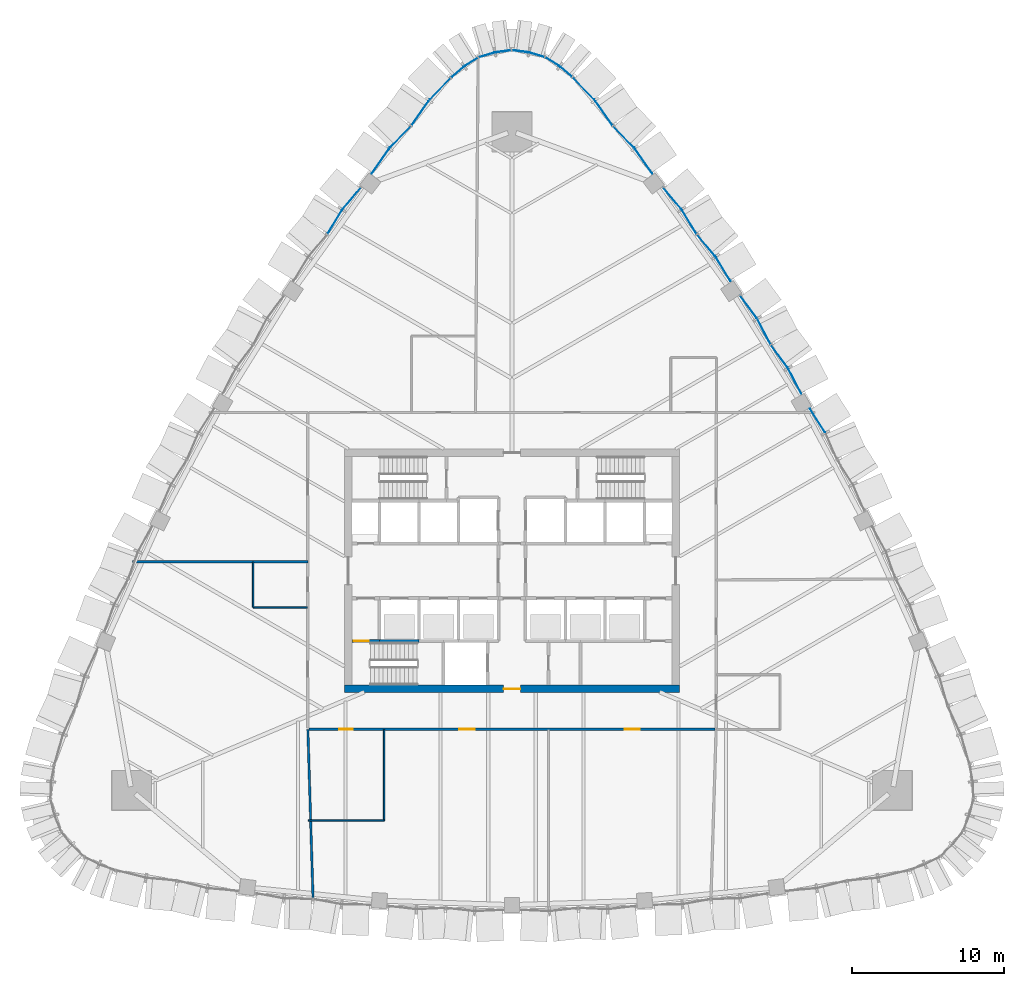
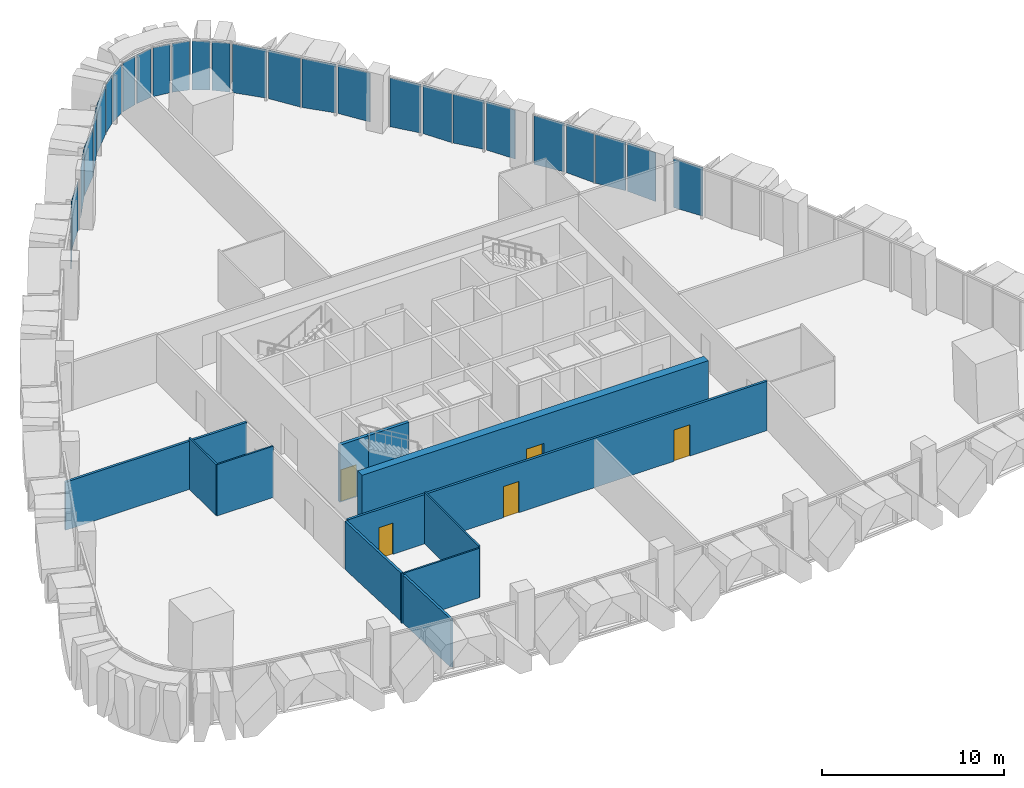
# One storey, part 11 of 18: 27 plates, 10 walls, 5 doors, 5 openings, 10 elements without a shape of their own.
"""IFC4 building model written with IfcOpenShell, lengths in metres."""

from ifc_helpers import new_model, si_unit, direction, frame, frame_2d, origin, place, context, subcontext, project, spatial, polyline, rectangle, outline, extrude, material, layer, layer_set, type_object, element, fill, aggregate, save


model = new_model("IFC4")

# Units and contexts
model_context = context("Model", 3, precision=1e-05, world=origin(), true_north=direction((0.0, 1.0)))
body_context = subcontext(model_context, "Body", "Model", "MODEL_VIEW")
ifc_project = project(units=[si_unit("LENGTHUNIT", "METRE"), si_unit("AREAUNIT", "SQUARE_METRE"), si_unit("VOLUMEUNIT", "CUBIC_METRE"), si_unit("PLANEANGLEUNIT", "RADIAN"), si_unit("MASSUNIT", "GRAM", prefix="KILO")], contexts=[model_context])

# Site, building, storey
site_placement = place(None, origin())
site = spatial("IfcSite", under=ifc_project, at=site_placement, CompositionType="ELEMENT")
building_placement = place(site_placement, origin())
building = spatial("IfcBuilding", under=site, at=building_placement, Name="Sierra Prisma Convention Tower", CompositionType="ELEMENT")
storey_placement = place(building_placement, frame((0.0, 0.0, 129.800048828125)))
storey = spatial("IfcBuildingStorey", under=building, at=storey_placement, Name="L27", CompositionType="ELEMENT", Elevation=129.800048828125)

# Curtain wall, plate
ifc_material_1 = material(Name="Aluminium and glass curtain wall", Category="aluminium")
ifc_layer_1 = layer(ifc_material_1, 0.179931640625)
ifc_layer_set_1 = layer_set([ifc_layer_1], Name="CW-2 Faceted crystal curtain wall")
curtain_wall_type = type_object("IfcCurtainWallType", Name="CW-2 Faceted crystal curtain wall", PredefinedType="NOTDEFINED", material=ifc_layer_set_1)
curtain_wall_1_placement = place(storey_placement, origin())
curtain_wall_1 = element("IfcCurtainWall", 1, at=curtain_wall_1_placement, inside=storey, type_object=curtain_wall_type, Name="CW-2 NE3 L27", PredefinedType="NOTDEFINED")
ifc_material_2 = material(Name="Tinted glass bronze-grey IGU", Category="glass")
ifc_layer_2 = layer(ifc_material_2, 0.028076171875)
ifc_layer_set_2 = layer_set([ifc_layer_2], Name="CW-2 crystal pane")
plate_type = type_object("IfcPlateType", Name="CW-2 crystal pane", PredefinedType="CURTAIN_PANEL", material=ifc_layer_set_2)
plate_1_placement = place(storey_placement, frame((19.572021484375, 10.64208984375, 0.0), z_axis=(0.842604965771, 0.538532145427, 0.0), x_axis=(0.538532145427, -0.842604965771, 0.0)))
plate_1 = element("IfcPlate", 2, at=plate_1_placement, type_object=plate_type, Name="CW-2 pane NE3.2.2", PredefinedType="CURTAIN_PANEL", context=body_context, shape_type="SweptSolid", body=[
    extrude(outline(polyline([(0.0, 0.0), (1.8201784567534784, 0.0), (1.8201784567534784, -3.280029296875001), (0.0, -3.280029296875001), (0.0, 0.0)])), origin(), (0.0, 0.0, -1.0), 0.028076171875),
])
aggregate(curtain_wall_1, [plate_1])

# Curtain wall, plates
curtain_wall_2_placement = place(storey_placement, origin())
curtain_wall_2 = element("IfcCurtainWall", 3, at=curtain_wall_2_placement, inside=storey, type_object=curtain_wall_type, Name="CW-2 NE4 L27", PredefinedType="NOTDEFINED")
plate_2_placement = place(storey_placement, frame((19.00244140625, 11.62890625, 0.0), z_axis=(0.887675345098, 0.460469848855, 0.0), x_axis=(-0.460469848855, 0.887675345098, 0.0)))
plate_2 = element("IfcPlate", 4, at=plate_2_placement, type_object=plate_type, Name="CW-2 pane NE4.1.1", PredefinedType="CURTAIN_PANEL", context=body_context, shape_type="SweptSolid", body=[
    extrude(outline(polyline([(0.0, 0.0), (1.8201729553173869, 0.0), (1.8201729553173869, 3.280029296875001), (0.0, 3.280029296875001), (0.0, 0.0)])), origin(), (0.0, 0.0, -1.0), 0.028076171875),
])
plate_3_placement = place(storey_placement, frame((17.01513671875, 14.8193359375, 0.0), z_axis=(0.804691563467, 0.593693092166, 0.0), x_axis=(0.593693092166, -0.804691563467, 0.0)))
plate_3 = element("IfcPlate", 5, at=plate_3_placement, type_object=plate_type, Name="CW-2 pane NE4.1.2", PredefinedType="CURTAIN_PANEL", context=body_context, shape_type="SweptSolid", body=[
    extrude(outline(polyline([(0.0, 0.0), (1.8200757605378528, 0.0), (1.8200757605378528, -3.280029296875), (0.0, -3.280029296875), (0.0, 0.0)])), origin(), (0.0, 0.0, -1.0), 0.028076171875),
])
plate_4_placement = place(storey_placement, frame((16.97802734375, 14.87890625, 0.0), z_axis=(0.887675345098, 0.460469848855, 0.0), x_axis=(-0.460469848855, 0.887675345098, 0.0)))
plate_4 = element("IfcPlate", 6, at=plate_4_placement, type_object=plate_type, Name="CW-2 pane NE4.2.1", PredefinedType="CURTAIN_PANEL", context=body_context, shape_type="SweptSolid", body=[
    extrude(outline(polyline([(0.0, 0.0), (1.8201729553173869, 0.0), (1.8201729553173869, 3.280029296875001), (0.0, 3.280029296875001), (0.0, 0.0)])), origin(), (0.0, 0.0, -1.0), 0.028076171875),
])
plate_5_placement = place(storey_placement, frame((14.99072265625, 18.069580078125, 0.0), z_axis=(0.804738835498, 0.593629014319, 0.0), x_axis=(0.593629014319, -0.804738835498, 0.0)))
plate_5 = element("IfcPlate", 7, at=plate_5_placement, type_object=plate_type, Name="CW-2 pane NE4.2.2", PredefinedType="CURTAIN_PANEL", context=body_context, shape_type="SweptSolid", body=[
    extrude(outline(polyline([(0.0, 0.0), (1.820272224209913, 0.0), (1.820272224209913, -3.280029296875), (0.0, -3.280029296875), (0.0, 0.0)])), origin(), (0.0, 0.0, -1.0), 0.028076171875),
])
aggregate(curtain_wall_2, [plate_2, plate_3, plate_4, plate_5])

curtain_wall_3_placement = place(storey_placement, origin())
curtain_wall_3 = element("IfcCurtainWall", 8, at=curtain_wall_3_placement, inside=storey, type_object=curtain_wall_type, Name="CW-2 NE5 L27", PredefinedType="NOTDEFINED")
plate_6_placement = place(storey_placement, frame((14.349853515625, 19.0263671875, 0.0), z_axis=(0.854915511839, 0.518767257657, 0.0), x_axis=(-0.518767257657, 0.854915511839, 0.0)))
plate_6 = element("IfcPlate", 9, at=plate_6_placement, type_object=plate_type, Name="CW-2 pane NE5.1.1", PredefinedType="CURTAIN_PANEL", context=body_context, shape_type="SweptSolid", body=[
    extrude(outline(polyline([(0.0, 0.0), (1.8128161976682358, 0.0), (1.8128161976682358, 3.280029296875), (0.0, 3.280029296875), (0.0, 0.0)])), origin(), (0.0, 0.0, -1.0), 0.028076171875),
])
plate_7_placement = place(storey_placement, frame((12.16259765625, 22.064697265625, 0.0), z_axis=(0.763263661219, 0.646087133027, 0.0), x_axis=(0.646087133027, -0.763263661219, 0.0)))
plate_7 = element("IfcPlate", 10, at=plate_7_placement, type_object=plate_type, Name="CW-2 pane NE5.1.2", PredefinedType="CURTAIN_PANEL", context=body_context, shape_type="SweptSolid", body=[
    extrude(outline(polyline([(0.0, 0.0), (1.8126697131974627, 0.0), (1.8126697131974627, -3.280029296875), (0.0, -3.280029296875), (0.0, 0.0)])), origin(), (0.0, 0.0, -1.0), 0.028076171875),
])
plate_8_placement = place(storey_placement, frame((12.12158203125, 22.121337890625, 0.0), z_axis=(0.854975238903, 0.518668816165, 0.0), x_axis=(-0.518668816165, 0.854975238903, 0.0)))
plate_8 = element("IfcPlate", 11, at=plate_8_placement, type_object=plate_type, Name="CW-2 pane NE5.2.1", PredefinedType="CURTAIN_PANEL", context=body_context, shape_type="SweptSolid", body=[
    extrude(outline(polyline([(0.0, 0.0), (1.812689557522086, 0.0), (1.812689557522086, 3.280029296875001), (0.0, 3.280029296875001), (0.0, 0.0)])), origin(), (0.0, 0.0, -1.0), 0.028076171875),
])
plate_9_placement = place(storey_placement, frame((9.9345703125, 25.15966796875, 0.0), z_axis=(0.763263661219, 0.646087133027, 0.0), x_axis=(0.646087133027, -0.763263661219, 0.0)))
plate_9 = element("IfcPlate", 12, at=plate_9_placement, type_object=plate_type, Name="CW-2 pane NE5.2.2", PredefinedType="CURTAIN_PANEL", context=body_context, shape_type="SweptSolid", body=[
    extrude(outline(polyline([(0.0, 0.0), (1.8126697131974627, 0.0), (1.8126697131974627, -3.280029296875), (0.0, -3.280029296875), (0.0, 0.0)])), origin(), (0.0, 0.0, -1.0), 0.028076171875),
])
aggregate(curtain_wall_3, [plate_6, plate_7, plate_8, plate_9])

curtain_wall_4_placement = place(storey_placement, origin())
curtain_wall_4 = element("IfcCurtainWall", 13, at=curtain_wall_4_placement, inside=storey, type_object=curtain_wall_type, Name="CW-2 NE6 L27", PredefinedType="NOTDEFINED")
plate_10_placement = place(storey_placement, frame((9.213134765625, 26.096435546875, 0.0), z_axis=(0.818312729274, 0.574773239729, 0.0), x_axis=(-0.574773239729, 0.818312729274, 0.0)))
plate_10 = element("IfcPlate", 14, at=plate_10_placement, type_object=plate_type, Name="CW-2 pane NE6.1.1", PredefinedType="CURTAIN_PANEL", context=body_context, shape_type="SweptSolid", body=[
    extrude(outline(polyline([(0.0, 0.0), (1.948798430540208, 0.0), (1.948798430540208, 3.280029296875001), (0.0, 3.280029296875001), (0.0, 0.0)])), origin(), (0.0, 0.0, -1.0), 0.028076171875),
])
plate_11_placement = place(storey_placement, frame((6.654541015625, 29.19091796875, 0.0), z_axis=(0.718353690752, 0.695678068494, 0.0), x_axis=(0.695678068494, -0.718353690752, 0.0)))
plate_11 = element("IfcPlate", 15, at=plate_11_placement, type_object=plate_type, Name="CW-2 pane NE6.1.2", PredefinedType="CURTAIN_PANEL", context=body_context, shape_type="SweptSolid", body=[
    extrude(outline(polyline([(0.0, 0.0), (1.948764740507057, 0.0), (1.948764740507057, -3.280029296875001), (0.0, -3.280029296875001), (0.0, 0.0)])), origin(), (0.0, 0.0, -1.0), 0.028076171875),
])
plate_12_placement = place(storey_placement, frame((6.60986328125, 29.244873046875, 0.0), z_axis=(0.818312729274, 0.574773239729, 0.0), x_axis=(-0.574773239729, 0.818312729274, 0.0)))
plate_12 = element("IfcPlate", 16, at=plate_12_placement, type_object=plate_type, Name="CW-2 pane NE6.2.1", PredefinedType="CURTAIN_PANEL", context=body_context, shape_type="SweptSolid", body=[
    extrude(outline(polyline([(0.0, 0.0), (1.948798430540208, 0.0), (1.948798430540208, 3.280029296875001), (0.0, 3.280029296875001), (0.0, 0.0)])), origin(), (0.0, 0.0, -1.0), 0.028076171875),
])
plate_13_placement = place(storey_placement, frame((4.051513671875, 32.33935546875, 0.0), z_axis=(0.718353690752, 0.695678068494, 0.0), x_axis=(0.695678068494, -0.718353690752, 0.0)))
plate_13 = element("IfcPlate", 17, at=plate_13_placement, type_object=plate_type, Name="CW-2 pane NE6.2.2", PredefinedType="CURTAIN_PANEL", context=body_context, shape_type="SweptSolid", body=[
    extrude(outline(polyline([(0.0, 0.0), (1.948764740507057, 0.0), (1.948764740507057, -3.280029296875001), (0.0, -3.280029296875001), (0.0, 0.0)])), origin(), (0.0, 0.0, -1.0), 0.028076171875),
])
aggregate(curtain_wall_4, [plate_10, plate_11, plate_12, plate_13])

curtain_wall_5_placement = place(storey_placement, origin())
curtain_wall_5 = element("IfcCurtainWall", 18, at=curtain_wall_5_placement, inside=storey, type_object=curtain_wall_type, Name="CW-2 N1 L27", PredefinedType="NOTDEFINED")
plate_14_placement = place(storey_placement, frame((3.950439453125, 32.434814453125, 0.0), z_axis=(0.654452520676, 0.756103100232, 0.0), x_axis=(-0.756103100232, 0.654452520676, 0.0)))
plate_14 = element("IfcPlate", 19, at=plate_14_placement, type_object=plate_type, Name="CW-2 pane N1.1.1", PredefinedType="CURTAIN_PANEL", context=body_context, shape_type="SweptSolid", body=[
    extrude(outline(polyline([(0.0, 0.0), (0.9919282168923282, 0.0), (0.9919282168923282, 3.280029296875), (0.0, 3.280029296875), (0.0, 0.0)])), origin(), (0.0, 0.0, -1.0), 0.028076171875),
])
plate_15_placement = place(storey_placement, frame((2.253662109375, 33.6845703125, 0.0), z_axis=(0.52818359461, 0.849130196368, 0.0), x_axis=(0.849130196368, -0.52818359461, 0.0)))
plate_15 = element("IfcPlate", 20, at=plate_15_placement, type_object=plate_type, Name="CW-2 pane N1.1.2", PredefinedType="CURTAIN_PANEL", context=body_context, shape_type="SweptSolid", body=[
    extrude(outline(polyline([(0.0, 0.0), (0.9919387625743384, 0.0), (0.9919387625743384, -3.280029296875), (0.0, -3.280029296875), (0.0, 0.0)])), origin(), (0.0, 0.0, -1.0), 0.028076171875),
])
aggregate(curtain_wall_5, [plate_14, plate_15])

curtain_wall_6_placement = place(storey_placement, origin())
curtain_wall_6 = element("IfcCurtainWall", 21, at=curtain_wall_6_placement, inside=storey, type_object=curtain_wall_type, Name="CW-2 N2 L27", PredefinedType="NOTDEFINED")
plate_16_placement = place(storey_placement, frame((2.12890625, 33.74072265625, 0.0), z_axis=(0.286241268511, 0.958157573785, 0.0), x_axis=(-0.958157573785, 0.286241268511, 0.0)))
plate_16 = element("IfcPlate", 22, at=plate_16_placement, type_object=plate_type, Name="CW-2 pane N2.1.1", PredefinedType="CURTAIN_PANEL", context=body_context, shape_type="SweptSolid", body=[
    extrude(outline(polyline([(0.0, 0.0), (0.9919448315484862, 0.0), (0.9919448315484862, 3.280029296875), (0.0, 3.280029296875), (0.0, 0.0)])), origin(), (0.0, 0.0, -1.0), 0.028076171875),
])
plate_17_placement = place(storey_placement, frame((0.068359375, 34.183349609375, 0.0), z_axis=(0.132631128824, 0.99116546735, 0.0), x_axis=(0.99116546735, -0.132631128824, 0.0)))
plate_17 = element("IfcPlate", 23, at=plate_17_placement, type_object=plate_type, Name="CW-2 pane N2.1.2", PredefinedType="CURTAIN_PANEL", context=body_context, shape_type="SweptSolid", body=[
    extrude(outline(polyline([(0.0, 0.0), (0.992163740459322, 0.0), (0.992163740459322, -3.280029296875), (0.0, -3.280029296875), (0.0, 0.0)])), origin(), (0.0, 0.0, -1.0), 0.028076171875),
])
aggregate(curtain_wall_6, [plate_16, plate_17])

curtain_wall_7_placement = place(storey_placement, origin())
curtain_wall_7 = element("IfcCurtainWall", 24, at=curtain_wall_7_placement, inside=storey, type_object=curtain_wall_type, Name="CW-2 N3 L27", PredefinedType="NOTDEFINED")
plate_18_placement = place(storey_placement, frame((-0.068359375, 34.183349609375, 0.0), z_axis=(-0.132631128824, 0.99116546735, 0.0), x_axis=(-0.99116546735, -0.132631128824, 0.0)))
plate_18 = element("IfcPlate", 25, at=plate_18_placement, type_object=plate_type, Name="CW-2 pane N3.1.1", PredefinedType="CURTAIN_PANEL", context=body_context, shape_type="SweptSolid", body=[
    extrude(outline(polyline([(0.0, 0.0), (0.992163740459322, 0.0), (0.992163740459322, 3.280029296875), (0.0, 3.280029296875), (0.0, 0.0)])), origin(), (0.0, 0.0, -1.0), 0.028076171875),
])
plate_19_placement = place(storey_placement, frame((-2.12890625, 33.74072265625, 0.0), z_axis=(-0.286241268511, 0.958157573785, 0.0), x_axis=(0.958157573785, 0.286241268511, 0.0)))
plate_19 = element("IfcPlate", 26, at=plate_19_placement, type_object=plate_type, Name="CW-2 pane N3.1.2", PredefinedType="CURTAIN_PANEL", context=body_context, shape_type="SweptSolid", body=[
    extrude(outline(polyline([(0.0, 0.0), (0.9919448315484862, 0.0), (0.9919448315484862, -3.280029296875), (0.0, -3.280029296875), (0.0, 0.0)])), origin(), (0.0, 0.0, -1.0), 0.028076171875),
])
aggregate(curtain_wall_7, [plate_18, plate_19])

curtain_wall_8_placement = place(storey_placement, origin())
curtain_wall_8 = element("IfcCurtainWall", 27, at=curtain_wall_8_placement, inside=storey, type_object=curtain_wall_type, Name="CW-2 N4 L27", PredefinedType="NOTDEFINED")
plate_20_placement = place(storey_placement, frame((-2.253662109375, 33.6845703125, 0.0), z_axis=(-0.52818359461, 0.849130196368, 0.0), x_axis=(-0.849130196368, -0.52818359461, 0.0)))
plate_20 = element("IfcPlate", 28, at=plate_20_placement, type_object=plate_type, Name="CW-2 pane N4.1.1", PredefinedType="CURTAIN_PANEL", context=body_context, shape_type="SweptSolid", body=[
    extrude(outline(polyline([(0.0, 0.0), (0.9919387625743384, 0.0), (0.9919387625743384, 3.280029296875), (0.0, 3.280029296875), (0.0, 0.0)])), origin(), (0.0, 0.0, -1.0), 0.028076171875),
])
plate_21_placement = place(storey_placement, frame((-3.950439453125, 32.434814453125, 0.0), z_axis=(-0.654452520676, 0.756103100232, 0.0), x_axis=(0.756103100232, 0.654452520676, 0.0)))
plate_21 = element("IfcPlate", 29, at=plate_21_placement, type_object=plate_type, Name="CW-2 pane N4.1.2", PredefinedType="CURTAIN_PANEL", context=body_context, shape_type="SweptSolid", body=[
    extrude(outline(polyline([(0.0, 0.0), (0.9919282168923282, 0.0), (0.9919282168923282, -3.280029296875), (0.0, -3.280029296875), (0.0, 0.0)])), origin(), (0.0, 0.0, -1.0), 0.028076171875),
])
aggregate(curtain_wall_8, [plate_20, plate_21])

curtain_wall_9_placement = place(storey_placement, origin())
curtain_wall_9 = element("IfcCurtainWall", 30, at=curtain_wall_9_placement, inside=storey, type_object=curtain_wall_type, Name="CW-2 NW1 L27", PredefinedType="NOTDEFINED")
plate_22_placement = place(storey_placement, frame((-4.051513671875, 32.33935546875, 0.0), z_axis=(-0.718353690752, 0.695678068494, 0.0), x_axis=(-0.695678068494, -0.718353690752, 0.0)))
plate_22 = element("IfcPlate", 31, at=plate_22_placement, type_object=plate_type, Name="CW-2 pane NW1.1.1", PredefinedType="CURTAIN_PANEL", context=body_context, shape_type="SweptSolid", body=[
    extrude(outline(polyline([(0.0, 0.0), (1.948764740507057, 0.0), (1.948764740507057, 3.280029296875001), (0.0, 3.280029296875001), (0.0, 0.0)])), origin(), (0.0, 0.0, -1.0), 0.028076171875),
])
plate_23_placement = place(storey_placement, frame((-6.60986328125, 29.244873046875, 0.0), z_axis=(-0.818312729274, 0.574773239729, 0.0), x_axis=(0.574773239729, 0.818312729274, 0.0)))
plate_23 = element("IfcPlate", 32, at=plate_23_placement, type_object=plate_type, Name="CW-2 pane NW1.1.2", PredefinedType="CURTAIN_PANEL", context=body_context, shape_type="SweptSolid", body=[
    extrude(outline(polyline([(0.0, 0.0), (1.948798430540208, 0.0), (1.948798430540208, -3.280029296875001), (0.0, -3.280029296875001), (0.0, 0.0)])), origin(), (0.0, 0.0, -1.0), 0.028076171875),
])
plate_24_placement = place(storey_placement, frame((-6.654541015625, 29.19091796875, 0.0), z_axis=(-0.718353690752, 0.695678068494, 0.0), x_axis=(-0.695678068494, -0.718353690752, 0.0)))
plate_24 = element("IfcPlate", 33, at=plate_24_placement, type_object=plate_type, Name="CW-2 pane NW1.2.1", PredefinedType="CURTAIN_PANEL", context=body_context, shape_type="SweptSolid", body=[
    extrude(outline(polyline([(0.0, 0.0), (1.948764740507057, 0.0), (1.948764740507057, 3.280029296875001), (0.0, 3.280029296875001), (0.0, 0.0)])), origin(), (0.0, 0.0, -1.0), 0.028076171875),
])
plate_25_placement = place(storey_placement, frame((-9.213134765625, 26.096435546875, 0.0), z_axis=(-0.818312729274, 0.574773239729, 0.0), x_axis=(0.574773239729, 0.818312729274, 0.0)))
plate_25 = element("IfcPlate", 34, at=plate_25_placement, type_object=plate_type, Name="CW-2 pane NW1.2.2", PredefinedType="CURTAIN_PANEL", context=body_context, shape_type="SweptSolid", body=[
    extrude(outline(polyline([(0.0, 0.0), (1.948798430540208, 0.0), (1.948798430540208, -3.280029296875001), (0.0, -3.280029296875001), (0.0, 0.0)])), origin(), (0.0, 0.0, -1.0), 0.028076171875),
])
aggregate(curtain_wall_9, [plate_22, plate_23, plate_24, plate_25])

curtain_wall_10_placement = place(storey_placement, origin())
curtain_wall_10 = element("IfcCurtainWall", 35, at=curtain_wall_10_placement, inside=storey, type_object=curtain_wall_type, Name="CW-2 NW2 L27", PredefinedType="NOTDEFINED")
plate_26_placement = place(storey_placement, frame((-9.935546875, 25.158203125, 0.0), z_axis=(-0.763217620709, 0.646141519668, 0.0), x_axis=(-0.646141519668, -0.763217620709, 0.0)))
plate_26 = element("IfcPlate", 36, at=plate_26_placement, type_object=plate_type, Name="CW-2 pane NW2.1.1", PredefinedType="CURTAIN_PANEL", context=body_context, shape_type="SweptSolid", body=[
    extrude(outline(polyline([(0.0, 0.0), (1.812139294347113, 0.0), (1.812139294347113, 3.280029296875), (0.0, 3.280029296875), (0.0, 0.0)])), origin(), (0.0, 0.0, -1.0), 0.028076171875),
])
plate_27_placement = place(storey_placement, frame((-12.122314453125, 22.12060546875, 0.0), z_axis=(-0.854902749098, 0.518788289753, 0.0), x_axis=(0.518788289753, 0.854902749098, 0.0)))
plate_27 = element("IfcPlate", 37, at=plate_27_placement, type_object=plate_type, Name="CW-2 pane NW2.1.2", PredefinedType="CURTAIN_PANEL", context=body_context, shape_type="SweptSolid", body=[
    extrude(outline(polyline([(0.0, 0.0), (1.8122721068393837, 0.0), (1.8122721068393837, -3.280029296875), (0.0, -3.280029296875), (0.0, 0.0)])), origin(), (0.0, 0.0, -1.0), 0.028076171875),
])
aggregate(curtain_wall_10, [plate_26, plate_27])

# Walls
ifc_material_3 = material(Name="Gypsum board partition", Category="gypsum")
ifc_layer_3 = layer(ifc_material_3, 0.10009765625)
ifc_layer_set_3 = layer_set([ifc_layer_3], Name="Bathroom partition 100")
wall_type_1 = type_object("IfcWallType", Name="Bathroom partition 100", PredefinedType="PARTITIONING", material=ifc_layer_set_3)
wall_1_placement = place(storey_placement, frame((-13.429931640625, -2.39990234375, 0.0), z_axis=(0.0, 0.0, 1.0), x_axis=(-1.0, 0.0, 0.0)))
element("IfcWall", 38, at=wall_1_placement, inside=storey, type_object=wall_type_1, Name="Partition L27 bath 1", PredefinedType="PARTITIONING", context=body_context, shape_type="SweptSolid", body=[
    extrude(rectangle(XDim=3.570068359375, YDim=0.10009765625, at=frame_2d((1.78515625, 0.0))), origin(), (0.0, 0.0, 1.0), 3.449951171875),
])
wall_2_placement = place(storey_placement, frame((-17.0, -2.39990234375, 0.0), z_axis=(0.0, 0.0, 1.0), x_axis=(0.0, 1.0, 0.0)))
element("IfcWall", 39, at=wall_2_placement, inside=storey, type_object=wall_type_1, Name="Partition L27 bath 2", PredefinedType="PARTITIONING", context=body_context, shape_type="SweptSolid", body=[
    extrude(rectangle(XDim=2.969970703125, YDim=0.10009765625, at=frame_2d((1.48486328125, 0.0))), origin(), (0.0, 0.0, 1.0), 3.449951171875),
])
wall_3_placement = place(storey_placement, frame((-8.39990234375, -10.429931640625, 0.0), z_axis=(0.0, 0.0, 1.0), x_axis=(0.0, -1.0, 0.0)))
element("IfcWall", 40, at=wall_3_placement, inside=storey, type_object=wall_type_1, Name="Partition L27 bath 3", PredefinedType="PARTITIONING", context=body_context, shape_type="SweptSolid", body=[
    extrude(rectangle(XDim=5.969970703125, YDim=0.10009765625, at=frame_2d((2.98486328125, 0.0))), origin(), (0.0, 0.0, 1.0), 3.449951171875),
])
wall_4_placement = place(storey_placement, frame((-8.39990234375, -16.39990234375, 0.0), z_axis=(0.0, 0.0, 1.0), x_axis=(-1.0, 0.0, 0.0)))
element("IfcWall", 41, at=wall_4_placement, inside=storey, type_object=wall_type_1, Name="Partition L27 bath 4", PredefinedType="PARTITIONING", context=body_context, shape_type="SweptSolid", body=[
    extrude(rectangle(XDim=4.97021484375, YDim=0.10009765625, at=frame_2d((2.485107421875, 0.0))), origin(), (0.0, 0.0, 1.0), 3.31689453125),
])

# Wall, opening, door
ifc_material_4 = material(Name="Concrete C30/37", Category="concrete")
ifc_layer_4 = layer(ifc_material_4, 0.199951171875)
ifc_layer_set_4 = layer_set([ifc_layer_4], Name="Core wall RC 200 C30/37")
wall_type_2 = type_object("IfcWallType", Name="Core wall RC 200 C30/37", PredefinedType="SOLIDWALL", material=ifc_layer_set_4)
wall_5_placement = place(storey_placement, frame((-10.5, -4.60009765625, 0.0), z_axis=(0.0, 0.0, 1.0), x_axis=(1.0, 0.0, 0.0)))
wall_5 = element("IfcWall", 42, at=wall_5_placement, inside=storey, type_object=wall_type_2, Name="Core wall L27 1", PredefinedType="SOLIDWALL", context=body_context, shape_type="SweptSolid", body=[
    extrude(rectangle(XDim=1.800048828125, YDim=0.199951171875, at=frame_2d((0.89990234375, 0.0))), origin(), (0.0, 0.0, 1.0), 3.849853515625),
])
opening_1_placement = place(wall_5_placement, frame((0.10009765625, 0.0, 0.0)))
opening_1 = element("IfcOpeningElement", 43, at=opening_1_placement, cuts=wall_5, Name="Opening L27-D017", PredefinedType="OPENING", context=body_context, shape_type="SweptSolid", body=[
    extrude(rectangle(XDim=1.0, YDim=2.10009765625, at=frame_2d((0.5, 1.050048828125))), frame((0.0, 0.10009765625, 0.0), z_axis=(0.0, -1.0, 0.0), x_axis=(1.0, 0.0, 0.0)), (0.0, 0.0, 1.0), 0.199951171875),
])
ifc_material_5 = material(Name="Steel fire door leaf", Category="steel")
door_type_1 = type_object("IfcDoorType", Name="Door 1000x2100 FD90S", OperationType="SINGLE_SWING_LEFT", PredefinedType="DOOR", material=ifc_material_5)
door_1_placement = place(opening_1_placement, origin())
door_1 = element("IfcDoor", 44, at=door_1_placement, inside=storey, type_object=door_type_1, Name="Door L27 30", OperationType="SINGLE_SWING_LEFT", OverallHeight=2.10009765625, OverallWidth=1.0, PredefinedType="DOOR", context=body_context, shape_type="SweptSolid", body=[
    extrude(rectangle(XDim=1.0, YDim=2.10009765625, at=frame_2d((0.5, 1.050048828125))), frame((0.0, 0.02490234375, 0.0), z_axis=(0.0, -1.0, 0.0), x_axis=(1.0, 0.0, 0.0)), (0.0, 0.0, 1.0), 0.050048828125),
])
fill(opening_1, door_1)

# Wall
wall_6_placement = place(storey_placement, frame((-8.699951171875, -4.60009765625, 0.0), z_axis=(0.0, 0.0, 1.0), x_axis=(1.0, 0.0, 0.0)))
element("IfcWall", 45, at=wall_6_placement, inside=storey, type_object=wall_type_2, Name="Core wall L27 5", PredefinedType="SOLIDWALL", context=body_context, shape_type="SweptSolid", body=[
    extrude(rectangle(XDim=2.599853515625, YDim=0.199951171875, at=frame_2d((1.2998046875, 0.0))), origin(), (0.0, 0.0, 1.0), 3.849853515625),
])

# Wall, opening, door
ifc_material_6 = material(Name="Concrete C60/75", Category="concrete")
ifc_layer_5 = layer(ifc_material_6, 0.5)
ifc_layer_set_5 = layer_set([ifc_layer_5], Name="Core wall RC 500 C60/75")
wall_type_3 = type_object("IfcWallType", Name="Core wall RC 500 C60/75", PredefinedType="SHEAR", material=ifc_layer_set_5)
wall_7_placement = place(storey_placement, frame((-11.0, -7.75, 0.0), z_axis=(0.0, 0.0, 1.0), x_axis=(1.0, 0.0, 0.0)))
wall_7 = element("IfcWall", 46, at=wall_7_placement, inside=storey, type_object=wall_type_3, Name="Core wall S L27", PredefinedType="SHEAR", context=body_context, shape_type="SweptSolid", body=[
    extrude(rectangle(XDim=22.0, YDim=0.5, at=frame_2d((11.0, 0.0))), origin(), (0.0, 0.0, 1.0), 4.0),
])
opening_2_placement = place(wall_7_placement, frame((10.449951171875, 0.0, 0.0)))
opening_2 = element("IfcOpeningElement", 47, at=opening_2_placement, cuts=wall_7, Name="Opening L27-D038", PredefinedType="OPENING", context=body_context, shape_type="SweptSolid", body=[
    extrude(rectangle(XDim=1.10009765625, YDim=2.10009765625, at=frame_2d((0.550048828125, 1.050048828125))), frame((0.0, 0.25, 0.0), z_axis=(0.0, -1.0, 0.0), x_axis=(1.0, 0.0, 0.0)), (0.0, 0.0, 1.0), 0.5),
])
ifc_material_7 = material(Name="Steel fire door leaf", Category="steel")
door_type_2 = type_object("IfcDoorType", Name="Door 1100x2100 FD30S", OperationType="SINGLE_SWING_LEFT", PredefinedType="DOOR", material=ifc_material_7)
door_2_placement = place(opening_2_placement, origin())
door_2 = element("IfcDoor", 48, at=door_2_placement, inside=storey, type_object=door_type_2, Name="Door L27 39", OperationType="SINGLE_SWING_RIGHT", OverallHeight=2.10009765625, OverallWidth=1.10009765625, PredefinedType="DOOR", context=body_context, shape_type="SweptSolid", body=[
    extrude(rectangle(XDim=1.10009765625, YDim=2.10009765625, at=frame_2d((0.550048828125, 1.050048828125))), frame((0.0, 0.02490234375, 0.0), z_axis=(0.0, -1.0, 0.0), x_axis=(1.0, 0.0, 0.0)), (0.0, 0.0, 1.0), 0.050048828125),
])
fill(opening_2, door_2)

# Wall, openings, doors
ifc_material_8 = material(Name="Gypsum board partition", Category="gypsum")
ifc_layer_6 = layer(ifc_material_8, 0.14990234375)
ifc_layer_set_6 = layer_set([ifc_layer_6], Name="Corridor wall 150 gypsum EI 60")
wall_type_4 = type_object("IfcWallType", Name="Corridor wall 150 gypsum EI 60", PredefinedType="PARTITIONING", material=ifc_layer_set_6)
wall_8_placement = place(storey_placement, frame((-13.320068359375, -10.39990234375, 0.0), z_axis=(0.0, 0.0, 1.0), x_axis=(1.0, 0.0, 0.0)))
wall_8 = element("IfcWall", 49, at=wall_8_placement, inside=storey, type_object=wall_type_4, Name="Partition L27 corr 2", PredefinedType="PARTITIONING", context=body_context, shape_type="SweptSolid", body=[
    extrude(rectangle(XDim=26.64013671875, YDim=0.14990234375, at=frame_2d((13.320068359375, 0.0))), origin(), (0.0, 0.0, 1.0), 3.31689453125),
])
opening_3_placement = place(wall_8_placement, frame((1.969970703125, 0.0, 0.0)))
opening_3 = element("IfcOpeningElement", 50, at=opening_3_placement, cuts=wall_8, Name="Opening L27-D031", PredefinedType="OPENING", context=body_context, shape_type="SweptSolid", body=[
    extrude(rectangle(XDim=0.89990234375, YDim=2.10009765625, at=frame_2d((0.449951171875, 1.050048828125))), frame((0.0, 0.074951171875, 0.0), z_axis=(0.0, -1.0, 0.0), x_axis=(1.0, 0.0, 0.0)), (0.0, 0.0, 1.0), 0.14990234375),
])
opening_4_placement = place(wall_8_placement, frame((9.8701171875, 0.0, 0.0)))
opening_4 = element("IfcOpeningElement", 51, at=opening_4_placement, cuts=wall_8, Name="Opening L27-D032", PredefinedType="OPENING", context=body_context, shape_type="SweptSolid", body=[
    extrude(rectangle(XDim=1.0, YDim=2.10009765625, at=frame_2d((0.5, 1.050048828125))), frame((0.0, 0.074951171875, 0.0), z_axis=(0.0, -1.0, 0.0), x_axis=(1.0, 0.0, 0.0)), (0.0, 0.0, 1.0), 0.14990234375),
])
opening_5_placement = place(wall_8_placement, frame((20.719970703125, 0.0, 0.0)))
opening_5 = element("IfcOpeningElement", 52, at=opening_5_placement, cuts=wall_8, Name="Opening L27-D033", PredefinedType="OPENING", context=body_context, shape_type="SweptSolid", body=[
    extrude(rectangle(XDim=1.0, YDim=2.10009765625, at=frame_2d((0.5, 1.050048828125))), frame((0.0, 0.074951171875, 0.0), z_axis=(0.0, -1.0, 0.0), x_axis=(1.0, 0.0, 0.0)), (0.0, 0.0, 1.0), 0.14990234375),
])
ifc_material_9 = material(Name="Steel fire door leaf", Category="steel")
door_type_3 = type_object("IfcDoorType", Name="Door 1000x2100 FD30S", OperationType="SINGLE_SWING_LEFT", PredefinedType="DOOR", material=ifc_material_9)
door_3_placement = place(opening_4_placement, origin())
door_3 = element("IfcDoor", 53, at=door_3_placement, inside=storey, type_object=door_type_3, Name="Door L27 10", OperationType="SINGLE_SWING_RIGHT", OverallHeight=2.10009765625, OverallWidth=1.0, PredefinedType="DOOR", context=body_context, shape_type="SweptSolid", body=[
    extrude(rectangle(XDim=1.0, YDim=2.10009765625, at=frame_2d((0.5, 1.050048828125))), frame((0.0, 0.02490234375, 0.0), z_axis=(0.0, -1.0, 0.0), x_axis=(1.0, 0.0, 0.0)), (0.0, 0.0, 1.0), 0.050048828125),
])
fill(opening_4, door_3)
door_4_placement = place(opening_5_placement, origin())
door_4 = element("IfcDoor", 54, at=door_4_placement, inside=storey, type_object=door_type_3, Name="Door L27 11", OperationType="SINGLE_SWING_RIGHT", OverallHeight=2.10009765625, OverallWidth=1.0, PredefinedType="DOOR", context=body_context, shape_type="SweptSolid", body=[
    extrude(rectangle(XDim=1.0, YDim=2.10009765625, at=frame_2d((0.5, 1.050048828125))), frame((0.0, 0.02490234375, 0.0), z_axis=(0.0, -1.0, 0.0), x_axis=(1.0, 0.0, 0.0)), (0.0, 0.0, 1.0), 0.050048828125),
])
fill(opening_5, door_4)
ifc_material_10 = material(Name="Steel fire door leaf", Category="steel")
door_type_4 = type_object("IfcDoorType", Name="Door 900x2100 FD30S", OperationType="SINGLE_SWING_LEFT", PredefinedType="DOOR", material=ifc_material_10)
door_5_placement = place(opening_3_placement, origin())
door_5 = element("IfcDoor", 55, at=door_5_placement, inside=storey, type_object=door_type_4, Name="Door L27 9", OperationType="SINGLE_SWING_LEFT", OverallHeight=2.10009765625, OverallWidth=0.89990234375, PredefinedType="DOOR", context=body_context, shape_type="SweptSolid", body=[
    extrude(rectangle(XDim=0.89990234375, YDim=2.10009765625, at=frame_2d((0.449951171875, 1.050048828125))), frame((0.0, 0.02490234375, 0.0), z_axis=(0.0, -1.0, 0.0), x_axis=(1.0, 0.0, 0.0)), (0.0, 0.0, 1.0), 0.050048828125),
])
fill(opening_3, door_5)

# Walls
ifc_material_11 = material(Name="Gypsum board partition", Category="gypsum")
ifc_layer_7 = layer(ifc_material_11, 0.14990234375)
ifc_layer_set_7 = layer_set([ifc_layer_7], Name="Party wall 150 gypsum")
wall_type_5 = type_object("IfcWallType", Name="Party wall 150 gypsum", PredefinedType="PARTITIONING", material=ifc_layer_set_7)
wall_9_placement = place(storey_placement, frame((-13.39990234375, 0.60009765625, 0.0), z_axis=(0.0, 0.0, 1.0), x_axis=(-1.0, 0.0, 0.0)))
element("IfcWall", 56, at=wall_9_placement, inside=storey, type_object=wall_type_5, Name="Partition L27 party 1", PredefinedType="PARTITIONING", context=body_context, shape_type="SweptSolid", body=[
    extrude(rectangle(XDim=11.508056640625, YDim=0.14990234375, at=frame_2d((5.75390625, 0.0))), origin(), (0.0, 0.0, 1.0), 3.23388671875),
])
wall_10_placement = place(storey_placement, frame((-13.39990234375, -10.39990234375, 0.0), z_axis=(0.0, 0.0, 1.0), x_axis=(0.030597011899, -0.999531801827, 0.0)))
element("IfcWall", 57, at=wall_10_placement, inside=storey, type_object=wall_type_5, Name="Partition L27 party 3", PredefinedType="PARTITIONING", context=body_context, shape_type="SweptSolid", body=[
    extrude(rectangle(XDim=11.067138671875, YDim=0.14990234375, at=frame_2d((5.53369140625, 0.0))), origin(), (0.0, 0.0, 1.0), 3.23388671875),
])

save(model, "model.ifc")
